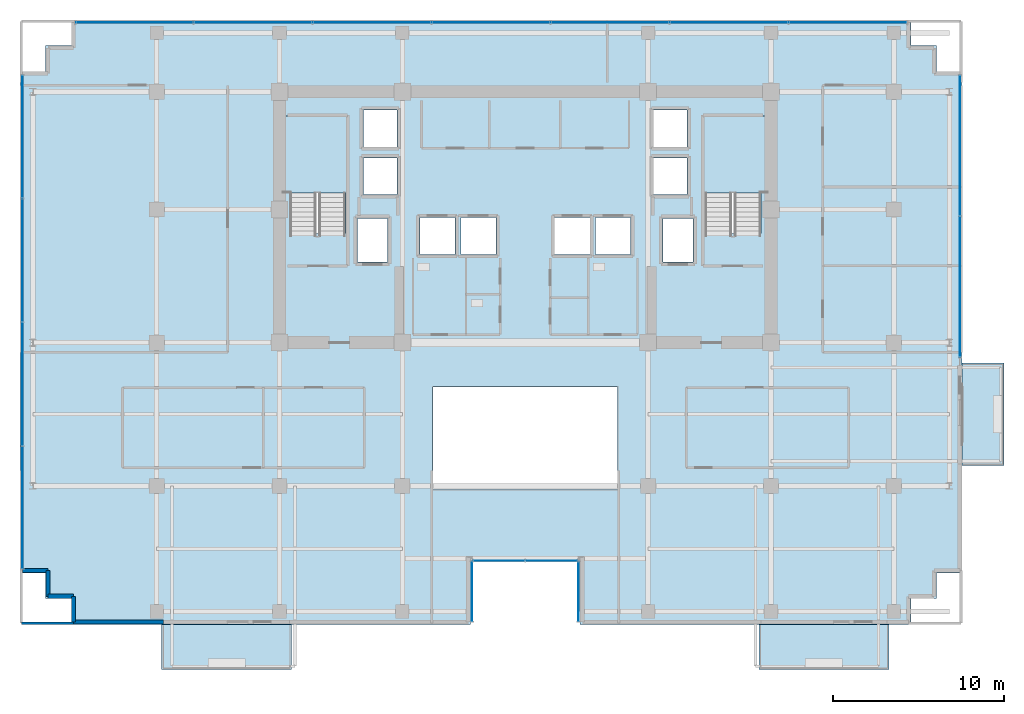
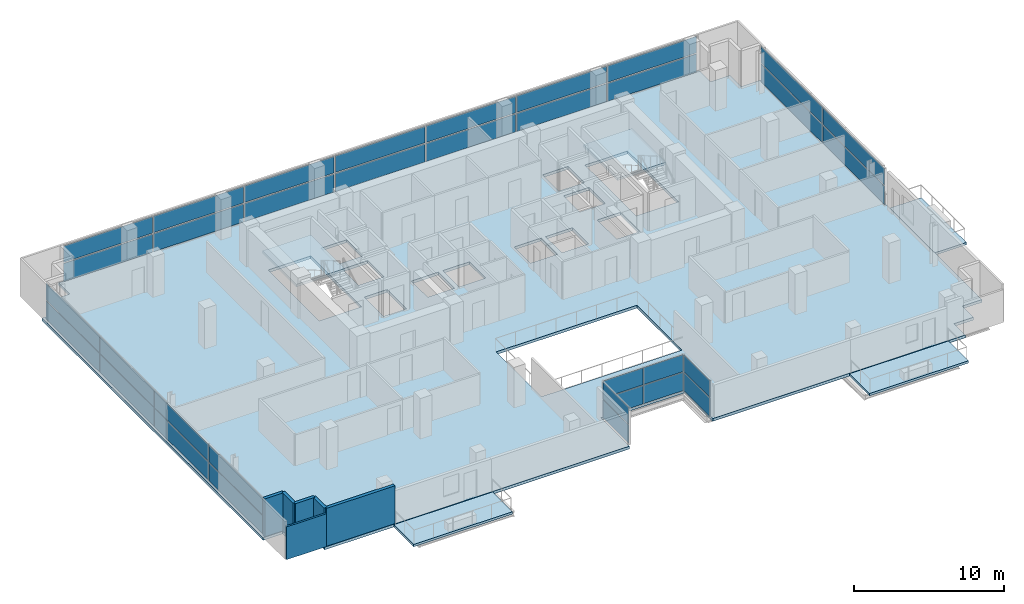
# One storey, part 18 of 25: 34 plates, 6 slabs, 6 walls, 8 elements without a shape of their own.
"""IFC4 building model written with IfcOpenShell, lengths in metres."""

from ifc_helpers import new_model, si_unit, direction, frame, frame_2d, origin, origin_2d, place, context, subcontext, project, spatial, polyline, rectangle, outline, extrude, source, transform, mapped, material, layer, layer_set, type_object, element, aggregate, save


model = new_model("IFC4")

# Units and contexts
model_context = context("Model", 3, precision=1e-05, world=origin(), true_north=direction((0.0, 1.0)))
body_context = subcontext(model_context, "Body", "Model", "MODEL_VIEW")
ifc_project = project(units=[si_unit("LENGTHUNIT", "METRE"), si_unit("AREAUNIT", "SQUARE_METRE"), si_unit("VOLUMEUNIT", "CUBIC_METRE"), si_unit("PLANEANGLEUNIT", "RADIAN"), si_unit("MASSUNIT", "GRAM", prefix="KILO")], contexts=[model_context])

# Site, building, storey
site_placement = place(None, origin())
site = spatial("IfcSite", under=ifc_project, at=site_placement, CompositionType="ELEMENT")
building_placement = place(site_placement, origin())
building = spatial("IfcBuilding", under=site, at=building_placement, Name="Zarnakvel Exchange Tower", CompositionType="ELEMENT")
storey_placement = place(building_placement, frame((0.0, 0.0, 100.0)))
storey = spatial("IfcBuildingStorey", under=building, at=storey_placement, Name="L27", CompositionType="ELEMENT", Elevation=100.0)

# Stair, slab
ifc_material_1 = material(Name="Concrete C40/50", Category="concrete")
stair_type = type_object("IfcStairType", Name="STR-01", PredefinedType="HALF_TURN_STAIR", material=ifc_material_1)
stair_1_placement = place(storey_placement, origin())
stair_1 = element("IfcStair", 1, at=stair_1_placement, inside=storey, type_object=stair_type, Name="L27 Protected Core Exit Stair ST-01", PredefinedType="HALF_TURN_STAIR")
ifc_layer_1 = layer(ifc_material_1, 0.199951171875)
ifc_layer_set_1 = layer_set([ifc_layer_1], Name="Concrete C40/50")
slab_type_1 = type_object("IfcSlabType", Name="LDG-01", PredefinedType="LANDING", material=ifc_layer_set_1)
slab_1_placement = place(storey_placement, frame((0.0, 0.0, 1.449951171875)))
slab_1 = element("IfcSlab", 2, at=slab_1_placement, type_object=slab_type_1, Name="ST-01 landing 1", PredefinedType="LANDING", context=body_context, shape_type="SweptSolid", body=[
    extrude(outline(polyline([(-14.18994140625, 7.570068359375), (-10.4599609375, 7.570068359375), (-10.4599609375, 12.080078125), (-14.18994140625, 12.080078125), (-14.18994140625, 7.570068359375)])), origin(), (0.0, 0.0, 1.0), 0.199951171875),
])
aggregate(stair_1, [slab_1])

stair_2_placement = place(storey_placement, origin())
stair_2 = element("IfcStair", 3, at=stair_2_placement, inside=storey, type_object=stair_type, Name="L27 Protected Core Exit Stair ST-02", PredefinedType="HALF_TURN_STAIR")
slab_2_placement = place(storey_placement, frame((0.0, 0.0, 1.449951171875)))
slab_2 = element("IfcSlab", 4, at=slab_2_placement, type_object=slab_type_1, Name="ST-02 landing 1", PredefinedType="LANDING", context=body_context, shape_type="SweptSolid", body=[
    extrude(outline(polyline([(10.4599609375, 7.570068359375), (14.18994140625, 7.570068359375), (14.18994140625, 12.080078125), (10.4599609375, 12.080078125), (10.4599609375, 7.570068359375)])), origin(), (0.0, 0.0, 1.0), 0.199951171875),
])
aggregate(stair_2, [slab_2])

# Slabs
ifc_layer_2 = layer(ifc_material_1, 0.22509765625)
ifc_layer_set_2 = layer_set([ifc_layer_2], Name="Concrete C40/50")
slab_type_2 = type_object("IfcSlabType", Name="SL-04", PredefinedType="FLOOR", material=ifc_layer_set_2)
slab_3_placement = place(storey_placement, frame((0.0, 0.0, -0.22509765625)))
element("IfcSlab", 5, at=slab_3_placement, inside=storey, type_object=slab_type_2, Name="L27 Primary Structural Floor Slab", PredefinedType="FLOOR", context=body_context, shape_type="SweptSolid", body=[
    extrude(outline(polyline([(-29.60009765625, -14.699951171875), (-28.10009765625, -14.699951171875), (-28.10009765625, -16.199951171875), (-26.60009765625, -16.199951171875), (-26.60009765625, -17.699951171875), (-3.199951171875, -17.699951171875), (-3.199951171875, -13.89990234375), (3.199951171875, -13.89990234375), (3.199951171875, -17.699951171875), (22.60009765625, -17.699951171875), (22.60009765625, -16.199951171875), (24.10009765625, -16.199951171875), (24.10009765625, -14.699951171875), (25.60009765625, -14.699951171875), (25.60009765625, 14.699951171875), (24.10009765625, 14.699951171875), (24.10009765625, 16.199951171875), (22.60009765625, 16.199951171875), (22.60009765625, 17.699951171875), (-26.60009765625, 17.699951171875), (-26.60009765625, 16.199951171875), (-28.10009765625, 16.199951171875), (-28.10009765625, 14.699951171875), (-29.60009765625, 14.699951171875), (-29.60009765625, -14.699951171875)]), holes=[polyline([(-5.39990234375, -9.800048828125), (5.39990234375, -9.800048828125), (5.39990234375, -3.800048828125), (-5.39990234375, -3.800048828125), (-5.39990234375, -9.800048828125)]), polyline([(-13.800048828125, 5.2099609375), (-10.5400390625, 5.2099609375), (-10.5400390625, 12.0), (-13.800048828125, 12.0), (-13.800048828125, 5.2099609375)]), polyline([(10.5400390625, 5.2099609375), (13.800048828125, 5.2099609375), (13.800048828125, 12.0), (10.5400390625, 12.0), (10.5400390625, 5.2099609375)]), polyline([(-9.830078125, 3.52001953125), (-8.070068359375, 3.52001953125), (-8.070068359375, 6.080078125), (-9.830078125, 6.080078125), (-9.830078125, 3.52001953125)]), polyline([(8.070068359375, 3.52001953125), (9.830078125, 3.52001953125), (9.830078125, 6.080078125), (8.070068359375, 6.080078125), (8.070068359375, 3.52001953125)]), polyline([(-6.179931640625, 3.969970703125), (-4.1201171875, 3.969970703125), (-4.1201171875, 6.1298828125), (-6.179931640625, 6.1298828125), (-6.179931640625, 3.969970703125)]), polyline([(-3.780029296875, 3.969970703125), (-1.719970703125, 3.969970703125), (-1.719970703125, 6.1298828125), (-3.780029296875, 6.1298828125), (-3.780029296875, 3.969970703125)]), polyline([(1.719970703125, 3.969970703125), (3.780029296875, 3.969970703125), (3.780029296875, 6.1298828125), (1.719970703125, 6.1298828125), (1.719970703125, 3.969970703125)]), polyline([(4.1201171875, 3.969970703125), (6.179931640625, 3.969970703125), (6.179931640625, 6.1298828125), (4.1201171875, 6.1298828125), (4.1201171875, 3.969970703125)]), polyline([(-9.47998046875, 7.469970703125), (-7.52001953125, 7.469970703125), (-7.52001953125, 9.6298828125), (-9.47998046875, 9.6298828125), (-9.47998046875, 7.469970703125)]), polyline([(-9.47998046875, 10.27001953125), (-7.52001953125, 10.27001953125), (-7.52001953125, 12.429931640625), (-9.47998046875, 12.429931640625), (-9.47998046875, 10.27001953125)]), polyline([(7.52001953125, 7.469970703125), (9.47998046875, 7.469970703125), (9.47998046875, 9.6298828125), (7.52001953125, 9.6298828125), (7.52001953125, 7.469970703125)]), polyline([(7.52001953125, 10.27001953125), (9.47998046875, 10.27001953125), (9.47998046875, 12.429931640625), (7.52001953125, 12.429931640625), (7.52001953125, 10.27001953125)])]), origin(), (0.0, 0.0, 1.0), 0.22509765625),
])
ifc_layer_3 = layer(ifc_material_1, 0.18994140625)
ifc_layer_set_3 = layer_set([ifc_layer_3], Name="Concrete C40/50")
slab_type_3 = type_object("IfcSlabType", Name="SL-08", PredefinedType="USERDEFINED", material=ifc_layer_set_3)
slab_4_placement = place(storey_placement, frame((0.0, 0.0, -0.22509765625)))
element("IfcSlab", 6, at=slab_4_placement, inside=storey, type_object=slab_type_3, Name="L27 Planted Loggia Balcony Slab BAL-L27-SW", ObjectType="BALCONY", PredefinedType="USERDEFINED", context=body_context, shape_type="SweptSolid", body=[
    extrude(outline(polyline([(-21.300048828125, -20.35009765625), (-13.699951171875, -20.35009765625), (-13.699951171875, -17.699951171875), (-21.300048828125, -17.699951171875), (-21.300048828125, -20.35009765625)])), origin(), (0.0, 0.0, 1.0), 0.190185546875),
])
slab_5_placement = place(storey_placement, frame((0.0, 0.0, -0.22509765625)))
element("IfcSlab", 7, at=slab_5_placement, inside=storey, type_object=slab_type_3, Name="L27 Planted Loggia Balcony Slab BAL-L27-SE", ObjectType="BALCONY", PredefinedType="USERDEFINED", context=body_context, shape_type="SweptSolid", body=[
    extrude(outline(polyline([(13.699951171875, -20.35009765625), (21.300048828125, -20.35009765625), (21.300048828125, -17.699951171875), (13.699951171875, -17.699951171875), (13.699951171875, -20.35009765625)])), origin(), (0.0, 0.0, 1.0), 0.190185546875),
])
slab_6_placement = place(storey_placement, frame((0.0, 0.0, -0.22509765625)))
element("IfcSlab", 8, at=slab_6_placement, inside=storey, type_object=slab_type_3, Name="L27 Planted Loggia Balcony Slab BAL-L27-E", ObjectType="BALCONY", PredefinedType="USERDEFINED", context=body_context, shape_type="SweptSolid", body=[
    extrude(outline(polyline([(25.60009765625, -8.39990234375), (28.050048828125, -8.39990234375), (28.050048828125, -2.39990234375), (25.60009765625, -2.39990234375), (25.60009765625, -8.39990234375)])), origin(), (0.0, 0.0, 1.0), 0.190185546875),
])

# Curtain wall, plate
ifc_material_2 = material(Name="Architectural Bronze Anodised Aluminium", Category="aluminium")
ifc_layer_4 = layer(ifc_material_2, 0.179931640625)
ifc_layer_set_4 = layer_set([ifc_layer_4], Name="Architectural Bronze Anodised Aluminium")
curtain_wall_type_1 = type_object("IfcCurtainWallType", Name="CW-05", PredefinedType="NOTDEFINED", material=ifc_layer_set_4)
curtain_wall_1_placement = place(storey_placement, origin())
curtain_wall_1 = element("IfcCurtainWall", 9, at=curtain_wall_1_placement, inside=storey, type_object=curtain_wall_type_1, Name="L27 Curtain Wall CW-L27-SLW (CW-05)", PredefinedType="NOTDEFINED")
ifc_material_3 = material(Name="Double Low-E Laminated Vision Glass", Category="glass")
ifc_layer_5 = layer(ifc_material_3, 0.02587890625)
ifc_layer_set_5 = layer_set([ifc_layer_5], Name="Double Low-E Laminated Vision Glass")
plate_type_1 = type_object("IfcPlateType", Name="CWP-05", PredefinedType="CURTAIN_PANEL", material=ifc_layer_set_5)
shared_shape_1 = source(origin(), body_context, "Body", "SweptSolid", [
    extrude(rectangle(XDim=3.4599609375, YDim=0.02587890625, at=origin_2d()), origin(), (0.0, 0.0, 1.0), 1.483642578125),
])
plate_1_placement = place(storey_placement, frame((-3.1201171875, -15.780029296875, 0.06982421875), z_axis=(0.0, 0.0, 1.0), x_axis=(0.0, 1.0, 0.0)))
plate_1 = element("IfcPlate", 10, at=plate_1_placement, type_object=plate_type_1, Name="CW-05 panel 1.1", PredefinedType="CURTAIN_PANEL", context=body_context, shape_type="MappedRepresentation", body=[
    mapped(shared_shape_1, transform((0.0, 0.0, 0.0), x_axis=(1.0, 0.0, 0.0), y_axis=(0.0, 1.0, 0.0), z_axis=(0.0, 0.0, 1.0), scale=1.0)),
])

curtain_wall_2_placement = place(storey_placement, origin())
curtain_wall_2 = element("IfcCurtainWall", 11, at=curtain_wall_2_placement, inside=storey, type_object=curtain_wall_type_1, Name="L27 Curtain Wall CW-L27-SLE (CW-05)", PredefinedType="NOTDEFINED")
plate_2_placement = place(storey_placement, frame((3.1201171875, -15.780029296875, 0.06982421875), z_axis=(0.0, 0.0, 1.0), x_axis=(0.0, -1.0, 0.0)))
plate_2 = element("IfcPlate", 12, at=plate_2_placement, type_object=plate_type_1, Name="CW-05 panel 1.1", PredefinedType="CURTAIN_PANEL", context=body_context, shape_type="MappedRepresentation", body=[
    mapped(shared_shape_1, transform((0.0, 0.0, 0.0), x_axis=(1.0, 0.0, 0.0), y_axis=(0.0, 1.0, 0.0), z_axis=(0.0, 0.0, 1.0), scale=1.0)),
])

# Plate
shared_shape_2 = source(origin(), body_context, "Body", "SweptSolid", [
    extrude(rectangle(XDim=3.4599609375, YDim=0.02587890625, at=origin_2d()), origin(), (0.0, 0.0, 1.0), 1.361328125),
])
plate_3_placement = place(storey_placement, frame((-3.1201171875, -15.780029296875, 1.62353515625), z_axis=(0.0, 0.0, 1.0), x_axis=(0.0, 1.0, 0.0)))
plate_3 = element("IfcPlate", 13, at=plate_3_placement, type_object=plate_type_1, Name="CW-05 panel 1.2", PredefinedType="CURTAIN_PANEL", context=body_context, shape_type="MappedRepresentation", body=[
    mapped(shared_shape_2, transform((0.0, 0.0, 0.0), x_axis=(1.0, 0.0, 0.0), y_axis=(0.0, 1.0, 0.0), z_axis=(0.0, 0.0, 1.0), scale=1.0)),
])

aggregate(curtain_wall_1, [plate_1, plate_3])

plate_4_placement = place(storey_placement, frame((3.1201171875, -15.780029296875, 1.62353515625), z_axis=(0.0, 0.0, 1.0), x_axis=(0.0, -1.0, 0.0)))
plate_4 = element("IfcPlate", 14, at=plate_4_placement, type_object=plate_type_1, Name="CW-05 panel 1.2", PredefinedType="CURTAIN_PANEL", context=body_context, shape_type="MappedRepresentation", body=[
    mapped(shared_shape_2, transform((0.0, 0.0, 0.0), x_axis=(1.0, 0.0, 0.0), y_axis=(0.0, 1.0, 0.0), z_axis=(0.0, 0.0, 1.0), scale=1.0)),
])

aggregate(curtain_wall_2, [plate_2, plate_4])

# Curtain wall, plates
curtain_wall_3_placement = place(storey_placement, origin())
curtain_wall_3 = element("IfcCurtainWall", 15, at=curtain_wall_3_placement, inside=storey, type_object=curtain_wall_type_1, Name="L27 Curtain Wall CW-L27-SLB (CW-05)", PredefinedType="NOTDEFINED")
shared_shape_3 = source(origin(), body_context, "Body", "SweptSolid", [
    extrude(rectangle(XDim=3.014892578125, YDim=0.02587890625, at=origin_2d()), origin(), (0.0, 0.0, 1.0), 1.483642578125),
])
plate_5_placement = place(storey_placement, frame((-1.54248046875, -13.97998046875, 0.06982421875), z_axis=(0.0, 0.0, 1.0), x_axis=(1.0, 0.0, 0.0)))
plate_5 = element("IfcPlate", 16, at=plate_5_placement, type_object=plate_type_1, Name="CW-05 panel 1.1", PredefinedType="CURTAIN_PANEL", context=body_context, shape_type="MappedRepresentation", body=[
    mapped(shared_shape_3, transform((0.0, 0.0, 0.0), x_axis=(1.0, 0.0, 0.0), y_axis=(0.0, 1.0, 0.0), z_axis=(0.0, 0.0, 1.0), scale=1.0)),
])
plate_6_placement = place(storey_placement, frame((1.54248046875, -13.97998046875, 0.06982421875), z_axis=(0.0, 0.0, 1.0), x_axis=(1.0, 0.0, 0.0)))
plate_6 = element("IfcPlate", 17, at=plate_6_placement, type_object=plate_type_1, Name="CW-05 panel 2.1", PredefinedType="CURTAIN_PANEL", context=body_context, shape_type="MappedRepresentation", body=[
    mapped(shared_shape_3, transform((0.0, 0.0, 0.0), x_axis=(1.0, 0.0, 0.0), y_axis=(0.0, 1.0, 0.0), z_axis=(0.0, 0.0, 1.0), scale=1.0)),
])
shared_shape_4 = source(origin(), body_context, "Body", "SweptSolid", [
    extrude(rectangle(XDim=3.014892578125, YDim=0.02587890625, at=origin_2d()), origin(), (0.0, 0.0, 1.0), 1.361328125),
])
plate_7_placement = place(storey_placement, frame((-1.54248046875, -13.97998046875, 1.62353515625), z_axis=(0.0, 0.0, 1.0), x_axis=(1.0, 0.0, 0.0)))
plate_7 = element("IfcPlate", 18, at=plate_7_placement, type_object=plate_type_1, Name="CW-05 panel 1.2", PredefinedType="CURTAIN_PANEL", context=body_context, shape_type="MappedRepresentation", body=[
    mapped(shared_shape_4, transform((0.0, 0.0, 0.0), x_axis=(1.0, 0.0, 0.0), y_axis=(0.0, 1.0, 0.0), z_axis=(0.0, 0.0, 1.0), scale=1.0)),
])
plate_8_placement = place(storey_placement, frame((1.54248046875, -13.97998046875, 1.62353515625), z_axis=(0.0, 0.0, 1.0), x_axis=(1.0, 0.0, 0.0)))
plate_8 = element("IfcPlate", 19, at=plate_8_placement, type_object=plate_type_1, Name="CW-05 panel 2.2", PredefinedType="CURTAIN_PANEL", context=body_context, shape_type="MappedRepresentation", body=[
    mapped(shared_shape_4, transform((0.0, 0.0, 0.0), x_axis=(1.0, 0.0, 0.0), y_axis=(0.0, 1.0, 0.0), z_axis=(0.0, 0.0, 1.0), scale=1.0)),
])
aggregate(curtain_wall_3, [plate_5, plate_7, plate_6, plate_8])

ifc_layer_6 = layer(ifc_material_2, 0.199951171875)
ifc_layer_set_6 = layer_set([ifc_layer_6], Name="Architectural Bronze Anodised Aluminium")
curtain_wall_type_2 = type_object("IfcCurtainWallType", Name="CW-04", PredefinedType="NOTDEFINED", material=ifc_layer_set_6)
curtain_wall_4_placement = place(storey_placement, origin())
curtain_wall_4 = element("IfcCurtainWall", 20, at=curtain_wall_4_placement, inside=storey, type_object=curtain_wall_type_2, Name="L27 Curtain Wall CW-L27-W1 (CW-04)", PredefinedType="NOTDEFINED")
ifc_layer_7 = layer(ifc_material_3, 0.028076171875)
ifc_layer_set_7 = layer_set([ifc_layer_7], Name="Double Low-E Laminated Vision Glass")
plate_type_2 = type_object("IfcPlateType", Name="CWP-04", PredefinedType="CURTAIN_PANEL", material=ifc_layer_set_7)
shared_shape_5 = source(origin(), body_context, "Body", "SweptSolid", [
    extrude(rectangle(XDim=7.137451171875, YDim=0.028076171875, at=origin_2d()), origin(), (0.0, 0.0, 1.0), 1.47607421875),
])
plate_9_placement = place(storey_placement, frame((-29.4599609375, -10.856201171875, 0.074951171875), z_axis=(0.0, 0.0, 1.0), x_axis=(0.0, 1.0, 0.0)))
plate_9 = element("IfcPlate", 21, at=plate_9_placement, type_object=plate_type_2, Name="CW-04 panel 1.1", PredefinedType="CURTAIN_PANEL", context=body_context, shape_type="MappedRepresentation", body=[
    mapped(shared_shape_5, transform((0.0, 0.0, 0.0), x_axis=(1.0, 0.0, 0.0), y_axis=(0.0, 1.0, 0.0), z_axis=(0.0, 0.0, 1.0), scale=1.0)),
])
plate_10_placement = place(storey_placement, frame((-29.4599609375, 10.856201171875, 0.074951171875), z_axis=(0.0, 0.0, 1.0), x_axis=(0.0, 1.0, 0.0)))
plate_10 = element("IfcPlate", 22, at=plate_10_placement, type_object=plate_type_2, Name="CW-04 panel 4.1", PredefinedType="CURTAIN_PANEL", context=body_context, shape_type="MappedRepresentation", body=[
    mapped(shared_shape_5, transform((0.0, 0.0, 0.0), x_axis=(1.0, 0.0, 0.0), y_axis=(0.0, 1.0, 0.0), z_axis=(0.0, 0.0, 1.0), scale=1.0)),
])
shared_shape_6 = source(origin(), body_context, "Body", "SweptSolid", [
    extrude(rectangle(XDim=7.137451171875, YDim=0.028076171875, at=origin_2d()), origin(), (0.0, 0.0, 1.0), 1.35400390625),
])
plate_11_placement = place(storey_placement, frame((-29.4599609375, -10.856201171875, 1.6259765625), z_axis=(0.0, 0.0, 1.0), x_axis=(0.0, 1.0, 0.0)))
plate_11 = element("IfcPlate", 23, at=plate_11_placement, type_object=plate_type_2, Name="CW-04 panel 1.2", PredefinedType="CURTAIN_PANEL", context=body_context, shape_type="MappedRepresentation", body=[
    mapped(shared_shape_6, transform((0.0, 0.0, 0.0), x_axis=(1.0, 0.0, 0.0), y_axis=(0.0, 1.0, 0.0), z_axis=(0.0, 0.0, 1.0), scale=1.0)),
])
plate_12_placement = place(storey_placement, frame((-29.4599609375, 10.856201171875, 1.6259765625), z_axis=(0.0, 0.0, 1.0), x_axis=(0.0, 1.0, 0.0)))
plate_12 = element("IfcPlate", 24, at=plate_12_placement, type_object=plate_type_2, Name="CW-04 panel 4.2", PredefinedType="CURTAIN_PANEL", context=body_context, shape_type="MappedRepresentation", body=[
    mapped(shared_shape_6, transform((0.0, 0.0, 0.0), x_axis=(1.0, 0.0, 0.0), y_axis=(0.0, 1.0, 0.0), z_axis=(0.0, 0.0, 1.0), scale=1.0)),
])
shared_shape_7 = source(origin(), body_context, "Body", "SweptSolid", [
    extrude(rectangle(XDim=7.175048828125, YDim=0.028076171875, at=origin_2d()), origin(), (0.0, 0.0, 1.0), 1.47607421875),
])
plate_13_placement = place(storey_placement, frame((-29.4599609375, -3.625, 0.074951171875), z_axis=(0.0, 0.0, 1.0), x_axis=(0.0, 1.0, 0.0)))
plate_13 = element("IfcPlate", 25, at=plate_13_placement, type_object=plate_type_2, Name="CW-04 panel 2.1", PredefinedType="CURTAIN_PANEL", context=body_context, shape_type="MappedRepresentation", body=[
    mapped(shared_shape_7, transform((0.0, 0.0, 0.0), x_axis=(1.0, 0.0, 0.0), y_axis=(0.0, 1.0, 0.0), z_axis=(0.0, 0.0, 1.0), scale=1.0)),
])
plate_14_placement = place(storey_placement, frame((-29.4599609375, 3.625, 0.074951171875), z_axis=(0.0, 0.0, 1.0), x_axis=(0.0, 1.0, 0.0)))
plate_14 = element("IfcPlate", 26, at=plate_14_placement, type_object=plate_type_2, Name="CW-04 panel 3.1", PredefinedType="CURTAIN_PANEL", context=body_context, shape_type="MappedRepresentation", body=[
    mapped(shared_shape_7, transform((0.0, 0.0, 0.0), x_axis=(1.0, 0.0, 0.0), y_axis=(0.0, 1.0, 0.0), z_axis=(0.0, 0.0, 1.0), scale=1.0)),
])
shared_shape_8 = source(origin(), body_context, "Body", "SweptSolid", [
    extrude(rectangle(XDim=7.175048828125, YDim=0.028076171875, at=origin_2d()), origin(), (0.0, 0.0, 1.0), 1.35400390625),
])
plate_15_placement = place(storey_placement, frame((-29.4599609375, -3.625, 1.6259765625), z_axis=(0.0, 0.0, 1.0), x_axis=(0.0, 1.0, 0.0)))
plate_15 = element("IfcPlate", 27, at=plate_15_placement, type_object=plate_type_2, Name="CW-04 panel 2.2", PredefinedType="CURTAIN_PANEL", context=body_context, shape_type="MappedRepresentation", body=[
    mapped(shared_shape_8, transform((0.0, 0.0, 0.0), x_axis=(1.0, 0.0, 0.0), y_axis=(0.0, 1.0, 0.0), z_axis=(0.0, 0.0, 1.0), scale=1.0)),
])
plate_16_placement = place(storey_placement, frame((-29.4599609375, 3.625, 1.6259765625), z_axis=(0.0, 0.0, 1.0), x_axis=(0.0, 1.0, 0.0)))
plate_16 = element("IfcPlate", 28, at=plate_16_placement, type_object=plate_type_2, Name="CW-04 panel 3.2", PredefinedType="CURTAIN_PANEL", context=body_context, shape_type="MappedRepresentation", body=[
    mapped(shared_shape_8, transform((0.0, 0.0, 0.0), x_axis=(1.0, 0.0, 0.0), y_axis=(0.0, 1.0, 0.0), z_axis=(0.0, 0.0, 1.0), scale=1.0)),
])
aggregate(curtain_wall_4, [plate_9, plate_11, plate_13, plate_15, plate_14, plate_16, plate_10, plate_12])

curtain_wall_5_placement = place(storey_placement, origin())
curtain_wall_5 = element("IfcCurtainWall", 29, at=curtain_wall_5_placement, inside=storey, type_object=curtain_wall_type_2, Name="L27 Curtain Wall CW-L27-EN (CW-04)", PredefinedType="NOTDEFINED")
shared_shape_9 = source(origin(), body_context, "Body", "SweptSolid", [
    extrude(rectangle(XDim=8.1875, YDim=0.028076171875, at=origin_2d()), origin(), (0.0, 0.0, 1.0), 1.47607421875),
])
plate_17_placement = place(storey_placement, frame((25.4599609375, 2.06884765625, 0.074951171875), z_axis=(0.0, 0.0, 1.0), x_axis=(0.0, 1.0, 0.0)))
plate_17 = element("IfcPlate", 30, at=plate_17_placement, type_object=plate_type_2, Name="CW-04 panel 1.1", PredefinedType="CURTAIN_PANEL", context=body_context, shape_type="MappedRepresentation", body=[
    mapped(shared_shape_9, transform((0.0, 0.0, 0.0), x_axis=(1.0, 0.0, 0.0), y_axis=(0.0, 1.0, 0.0), z_axis=(0.0, 0.0, 1.0), scale=1.0)),
])
plate_18_placement = place(storey_placement, frame((25.4599609375, 10.331298828125, 0.074951171875), z_axis=(0.0, 0.0, 1.0), x_axis=(0.0, 1.0, 0.0)))
plate_18 = element("IfcPlate", 31, at=plate_18_placement, type_object=plate_type_2, Name="CW-04 panel 2.1", PredefinedType="CURTAIN_PANEL", context=body_context, shape_type="MappedRepresentation", body=[
    mapped(shared_shape_9, transform((0.0, 0.0, 0.0), x_axis=(1.0, 0.0, 0.0), y_axis=(0.0, 1.0, 0.0), z_axis=(0.0, 0.0, 1.0), scale=1.0)),
])
shared_shape_10 = source(origin(), body_context, "Body", "SweptSolid", [
    extrude(rectangle(XDim=8.1875, YDim=0.028076171875, at=origin_2d()), origin(), (0.0, 0.0, 1.0), 1.35400390625),
])
plate_19_placement = place(storey_placement, frame((25.4599609375, 2.06884765625, 1.6259765625), z_axis=(0.0, 0.0, 1.0), x_axis=(0.0, 1.0, 0.0)))
plate_19 = element("IfcPlate", 32, at=plate_19_placement, type_object=plate_type_2, Name="CW-04 panel 1.2", PredefinedType="CURTAIN_PANEL", context=body_context, shape_type="MappedRepresentation", body=[
    mapped(shared_shape_10, transform((0.0, 0.0, 0.0), x_axis=(1.0, 0.0, 0.0), y_axis=(0.0, 1.0, 0.0), z_axis=(0.0, 0.0, 1.0), scale=1.0)),
])
plate_20_placement = place(storey_placement, frame((25.4599609375, 10.331298828125, 1.6259765625), z_axis=(0.0, 0.0, 1.0), x_axis=(0.0, 1.0, 0.0)))
plate_20 = element("IfcPlate", 33, at=plate_20_placement, type_object=plate_type_2, Name="CW-04 panel 2.2", PredefinedType="CURTAIN_PANEL", context=body_context, shape_type="MappedRepresentation", body=[
    mapped(shared_shape_10, transform((0.0, 0.0, 0.0), x_axis=(1.0, 0.0, 0.0), y_axis=(0.0, 1.0, 0.0), z_axis=(0.0, 0.0, 1.0), scale=1.0)),
])
aggregate(curtain_wall_5, [plate_17, plate_19, plate_18, plate_20])

ifc_layer_8 = layer(ifc_material_2, 0.239990234375)
ifc_layer_set_8 = layer_set([ifc_layer_8], Name="Architectural Bronze Anodised Aluminium")
curtain_wall_type_3 = type_object("IfcCurtainWallType", Name="CW-02", PredefinedType="NOTDEFINED", material=ifc_layer_set_8)
curtain_wall_6_placement = place(storey_placement, origin())
curtain_wall_6 = element("IfcCurtainWall", 34, at=curtain_wall_6_placement, inside=storey, type_object=curtain_wall_type_3, Name="L27 Curtain Wall CW-L27-N1 (CW-02)", PredefinedType="NOTDEFINED")
ifc_layer_9 = layer(ifc_material_3, 0.031982421875)
ifc_layer_set_9 = layer_set([ifc_layer_9], Name="Double Low-E Laminated Vision Glass")
plate_type_3 = type_object("IfcPlateType", Name="CWP-02", PredefinedType="CURTAIN_PANEL", material=ifc_layer_set_9)
shared_shape_11 = source(origin(), body_context, "Body", "SweptSolid", [
    extrude(rectangle(XDim=6.83642578125, YDim=0.031982421875, at=origin_2d()), origin(), (0.0, 0.0, 1.0), 1.461181640625),
])
plate_21_placement = place(storey_placement, frame((-22.891845703125, 17.56005859375, 0.0849609375), z_axis=(0.0, 0.0, 1.0), x_axis=(1.0, 0.0, 0.0)))
plate_21 = element("IfcPlate", 35, at=plate_21_placement, type_object=plate_type_3, Name="CW-02 panel 1.1", PredefinedType="CURTAIN_PANEL", context=body_context, shape_type="MappedRepresentation", body=[
    mapped(shared_shape_11, transform((0.0, 0.0, 0.0), x_axis=(1.0, 0.0, 0.0), y_axis=(0.0, 1.0, 0.0), z_axis=(0.0, 0.0, 1.0), scale=1.0)),
])
plate_22_placement = place(storey_placement, frame((18.891845703125, 17.56005859375, 0.0849609375), z_axis=(0.0, 0.0, 1.0), x_axis=(1.0, 0.0, 0.0)))
plate_22 = element("IfcPlate", 36, at=plate_22_placement, type_object=plate_type_3, Name="CW-02 panel 7.1", PredefinedType="CURTAIN_PANEL", context=body_context, shape_type="MappedRepresentation", body=[
    mapped(shared_shape_11, transform((0.0, 0.0, 0.0), x_axis=(1.0, 0.0, 0.0), y_axis=(0.0, 1.0, 0.0), z_axis=(0.0, 0.0, 1.0), scale=1.0)),
])
shared_shape_12 = source(origin(), body_context, "Body", "SweptSolid", [
    extrude(rectangle(XDim=6.83642578125, YDim=0.031982421875, at=origin_2d()), origin(), (0.0, 0.0, 1.0), 1.3388671875),
])
plate_23_placement = place(storey_placement, frame((-22.891845703125, 17.56005859375, 1.631103515625), z_axis=(0.0, 0.0, 1.0), x_axis=(1.0, 0.0, 0.0)))
plate_23 = element("IfcPlate", 37, at=plate_23_placement, type_object=plate_type_3, Name="CW-02 panel 1.2", PredefinedType="CURTAIN_PANEL", context=body_context, shape_type="MappedRepresentation", body=[
    mapped(shared_shape_12, transform((0.0, 0.0, 0.0), x_axis=(1.0, 0.0, 0.0), y_axis=(0.0, 1.0, 0.0), z_axis=(0.0, 0.0, 1.0), scale=1.0)),
])
plate_24_placement = place(storey_placement, frame((18.891845703125, 17.56005859375, 1.631103515625), z_axis=(0.0, 0.0, 1.0), x_axis=(1.0, 0.0, 0.0)))
plate_24 = element("IfcPlate", 38, at=plate_24_placement, type_object=plate_type_3, Name="CW-02 panel 7.2", PredefinedType="CURTAIN_PANEL", context=body_context, shape_type="MappedRepresentation", body=[
    mapped(shared_shape_12, transform((0.0, 0.0, 0.0), x_axis=(1.0, 0.0, 0.0), y_axis=(0.0, 1.0, 0.0), z_axis=(0.0, 0.0, 1.0), scale=1.0)),
])
shared_shape_13 = source(origin(), body_context, "Body", "SweptSolid", [
    extrude(rectangle(XDim=6.88134765625, YDim=0.031982421875, at=origin_2d()), origin(), (0.0, 0.0, 1.0), 1.461181640625),
])
plate_25_placement = place(storey_placement, frame((-15.94287109375, 17.56005859375, 0.0849609375), z_axis=(0.0, 0.0, 1.0), x_axis=(1.0, 0.0, 0.0)))
plate_25 = element("IfcPlate", 39, at=plate_25_placement, type_object=plate_type_3, Name="CW-02 panel 2.1", PredefinedType="CURTAIN_PANEL", context=body_context, shape_type="MappedRepresentation", body=[
    mapped(shared_shape_13, transform((0.0, 0.0, 0.0), x_axis=(1.0, 0.0, 0.0), y_axis=(0.0, 1.0, 0.0), z_axis=(0.0, 0.0, 1.0), scale=1.0)),
])
plate_26_placement = place(storey_placement, frame((-8.971435546875, 17.56005859375, 0.0849609375), z_axis=(0.0, 0.0, 1.0), x_axis=(1.0, 0.0, 0.0)))
plate_26 = element("IfcPlate", 40, at=plate_26_placement, type_object=plate_type_3, Name="CW-02 panel 3.1", PredefinedType="CURTAIN_PANEL", context=body_context, shape_type="MappedRepresentation", body=[
    mapped(shared_shape_13, transform((0.0, 0.0, 0.0), x_axis=(1.0, 0.0, 0.0), y_axis=(0.0, 1.0, 0.0), z_axis=(0.0, 0.0, 1.0), scale=1.0)),
])
plate_27_placement = place(storey_placement, frame((-2.0, 17.56005859375, 0.0849609375), z_axis=(0.0, 0.0, 1.0), x_axis=(1.0, 0.0, 0.0)))
plate_27 = element("IfcPlate", 41, at=plate_27_placement, type_object=plate_type_3, Name="CW-02 panel 4.1", PredefinedType="CURTAIN_PANEL", context=body_context, shape_type="MappedRepresentation", body=[
    mapped(shared_shape_13, transform((0.0, 0.0, 0.0), x_axis=(1.0, 0.0, 0.0), y_axis=(0.0, 1.0, 0.0), z_axis=(0.0, 0.0, 1.0), scale=1.0)),
])
plate_28_placement = place(storey_placement, frame((4.971435546875, 17.56005859375, 0.0849609375), z_axis=(0.0, 0.0, 1.0), x_axis=(1.0, 0.0, 0.0)))
plate_28 = element("IfcPlate", 42, at=plate_28_placement, type_object=plate_type_3, Name="CW-02 panel 5.1", PredefinedType="CURTAIN_PANEL", context=body_context, shape_type="MappedRepresentation", body=[
    mapped(shared_shape_13, transform((0.0, 0.0, 0.0), x_axis=(1.0, 0.0, 0.0), y_axis=(0.0, 1.0, 0.0), z_axis=(0.0, 0.0, 1.0), scale=1.0)),
])
plate_29_placement = place(storey_placement, frame((11.94287109375, 17.56005859375, 0.0849609375), z_axis=(0.0, 0.0, 1.0), x_axis=(1.0, 0.0, 0.0)))
plate_29 = element("IfcPlate", 43, at=plate_29_placement, type_object=plate_type_3, Name="CW-02 panel 6.1", PredefinedType="CURTAIN_PANEL", context=body_context, shape_type="MappedRepresentation", body=[
    mapped(shared_shape_13, transform((0.0, 0.0, 0.0), x_axis=(1.0, 0.0, 0.0), y_axis=(0.0, 1.0, 0.0), z_axis=(0.0, 0.0, 1.0), scale=1.0)),
])
shared_shape_14 = source(origin(), body_context, "Body", "SweptSolid", [
    extrude(rectangle(XDim=6.88134765625, YDim=0.031982421875, at=origin_2d()), origin(), (0.0, 0.0, 1.0), 1.3388671875),
])
plate_30_placement = place(storey_placement, frame((-15.94287109375, 17.56005859375, 1.631103515625), z_axis=(0.0, 0.0, 1.0), x_axis=(1.0, 0.0, 0.0)))
plate_30 = element("IfcPlate", 44, at=plate_30_placement, type_object=plate_type_3, Name="CW-02 panel 2.2", PredefinedType="CURTAIN_PANEL", context=body_context, shape_type="MappedRepresentation", body=[
    mapped(shared_shape_14, transform((0.0, 0.0, 0.0), x_axis=(1.0, 0.0, 0.0), y_axis=(0.0, 1.0, 0.0), z_axis=(0.0, 0.0, 1.0), scale=1.0)),
])
plate_31_placement = place(storey_placement, frame((-8.971435546875, 17.56005859375, 1.631103515625), z_axis=(0.0, 0.0, 1.0), x_axis=(1.0, 0.0, 0.0)))
plate_31 = element("IfcPlate", 45, at=plate_31_placement, type_object=plate_type_3, Name="CW-02 panel 3.2", PredefinedType="CURTAIN_PANEL", context=body_context, shape_type="MappedRepresentation", body=[
    mapped(shared_shape_14, transform((0.0, 0.0, 0.0), x_axis=(1.0, 0.0, 0.0), y_axis=(0.0, 1.0, 0.0), z_axis=(0.0, 0.0, 1.0), scale=1.0)),
])
plate_32_placement = place(storey_placement, frame((-2.0, 17.56005859375, 1.631103515625), z_axis=(0.0, 0.0, 1.0), x_axis=(1.0, 0.0, 0.0)))
plate_32 = element("IfcPlate", 46, at=plate_32_placement, type_object=plate_type_3, Name="CW-02 panel 4.2", PredefinedType="CURTAIN_PANEL", context=body_context, shape_type="MappedRepresentation", body=[
    mapped(shared_shape_14, transform((0.0, 0.0, 0.0), x_axis=(1.0, 0.0, 0.0), y_axis=(0.0, 1.0, 0.0), z_axis=(0.0, 0.0, 1.0), scale=1.0)),
])
plate_33_placement = place(storey_placement, frame((4.971435546875, 17.56005859375, 1.631103515625), z_axis=(0.0, 0.0, 1.0), x_axis=(1.0, 0.0, 0.0)))
plate_33 = element("IfcPlate", 47, at=plate_33_placement, type_object=plate_type_3, Name="CW-02 panel 5.2", PredefinedType="CURTAIN_PANEL", context=body_context, shape_type="MappedRepresentation", body=[
    mapped(shared_shape_14, transform((0.0, 0.0, 0.0), x_axis=(1.0, 0.0, 0.0), y_axis=(0.0, 1.0, 0.0), z_axis=(0.0, 0.0, 1.0), scale=1.0)),
])
plate_34_placement = place(storey_placement, frame((11.94287109375, 17.56005859375, 1.631103515625), z_axis=(0.0, 0.0, 1.0), x_axis=(1.0, 0.0, 0.0)))
plate_34 = element("IfcPlate", 48, at=plate_34_placement, type_object=plate_type_3, Name="CW-02 panel 6.2", PredefinedType="CURTAIN_PANEL", context=body_context, shape_type="MappedRepresentation", body=[
    mapped(shared_shape_14, transform((0.0, 0.0, 0.0), x_axis=(1.0, 0.0, 0.0), y_axis=(0.0, 1.0, 0.0), z_axis=(0.0, 0.0, 1.0), scale=1.0)),
])
aggregate(curtain_wall_6, [plate_21, plate_23, plate_25, plate_30, plate_26, plate_31, plate_27, plate_32, plate_28, plate_33, plate_29, plate_34, plate_22, plate_24])

# Walls
ifc_material_4 = material(Name="Precast concrete C40/50", Category="concrete")
ifc_layer_10 = layer(ifc_material_4, 0.239990234375)
ifc_layer_set_10 = layer_set([ifc_layer_10], Name="Precast concrete C40/50")
wall_type_1 = type_object("IfcWallType", Name="EW-02", PredefinedType="SOLIDWALL", material=ifc_layer_set_10)
wall_1_placement = place(storey_placement, frame((-26.4599609375, -17.56005859375, 0.0), z_axis=(0.0, 0.0, 1.0), x_axis=(1.0, 0.0, 0.0)))
element("IfcWall", 49, at=wall_1_placement, inside=storey, type_object=wall_type_1, Name="L27 Exterior Precast Spandrel Wall EWC-L27-22 (EW-02)", PredefinedType="SOLIDWALL", context=body_context, shape_type="SweptSolid", body=[
    extrude(rectangle(XDim=5.260009765625, YDim=0.239990234375, at=frame_2d((2.6298828125, 0.0))), origin(), (0.0, 0.0, 1.0), 3.074951171875),
])
for number, where, z_axis, x_axis, name in (
    (50, (-26.4599609375, -16.06005859375, 0.0), (0.0, 0.0, 1.0), (0.0, -1.0, 0.0), "L27 Exterior Precast Spandrel Wall EWC-L27-23 (EW-02)"),
    (51, (-27.9599609375, -16.06005859375, 0.0), (0.0, 0.0, 1.0), (1.0, 0.0, 0.0), "L27 Exterior Precast Spandrel Wall EWC-L27-24 (EW-02)"),
    (52, (-27.9599609375, -14.56005859375, 0.0), (0.0, 0.0, 1.0), (0.0, -1.0, 0.0), "L27 Exterior Precast Spandrel Wall EWC-L27-25 (EW-02)"),
    (53, (-29.4599609375, -14.56005859375, 0.0), (0.0, 0.0, 1.0), (1.0, 0.0, 0.0), "L27 Exterior Precast Spandrel Wall EWC-L27-26 (EW-02)"),
):
    element("IfcWall", number, at=place(storey_placement, frame(where, z_axis=z_axis, x_axis=x_axis)), inside=storey, type_object=wall_type_1, Name=name, PredefinedType="SOLIDWALL", context=body_context, shape_type="SweptSolid", body=[
        extrude(rectangle(XDim=1.5, YDim=0.239990234375, at=frame_2d((0.75, 0.0))), origin(), (0.0, 0.0, 1.0), 3.074951171875),
    ])
ifc_material_5 = material(Name="Fire-Rated Gypsum Stud Partition", Category="gypsum")
ifc_layer_11 = layer(ifc_material_5, 0.14990234375)
ifc_layer_set_11 = layer_set([ifc_layer_11], Name="Fire-Rated Gypsum Stud Partition")
wall_type_2 = type_object("IfcWallType", Name="PT-01", PredefinedType="PARTITIONING", material=ifc_layer_set_11)
wall_2_placement = place(storey_placement, frame((-26.4599609375, -17.6298828125, 0.0), z_axis=(0.0, 0.0, 1.0), x_axis=(-1.0, 0.0, 0.0)))
element("IfcWall", 54, at=wall_2_placement, inside=storey, type_object=wall_type_2, Name="L27 Partition Wall PWALL-L27-040 (PT-01)", PredefinedType="PARTITIONING", context=body_context, shape_type="SweptSolid", body=[
    extrude(rectangle(XDim=3.070068359375, YDim=0.14990234375, at=frame_2d((1.53515625, 0.0))), origin(), (0.0, 0.0, 1.0), 2.6650390625),
])

save(model, "model.ifc")
